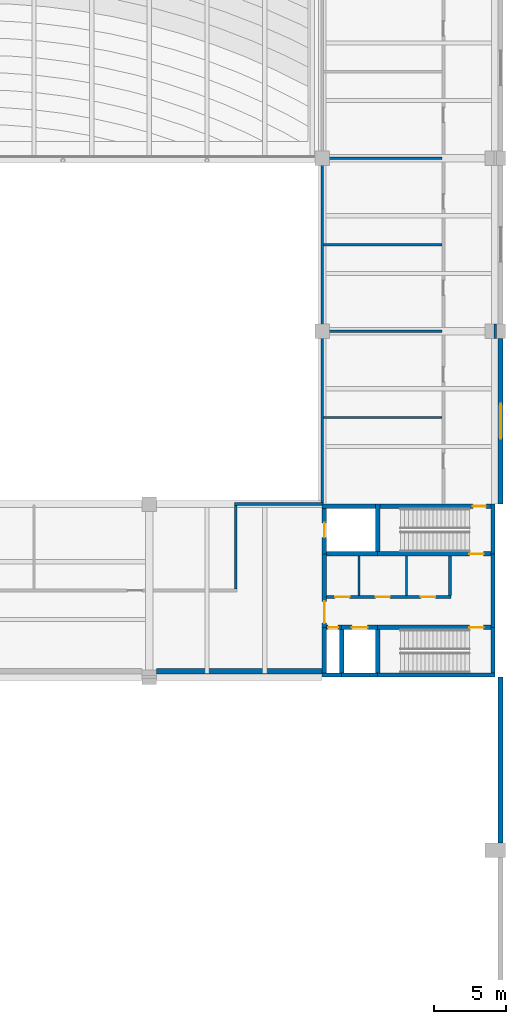
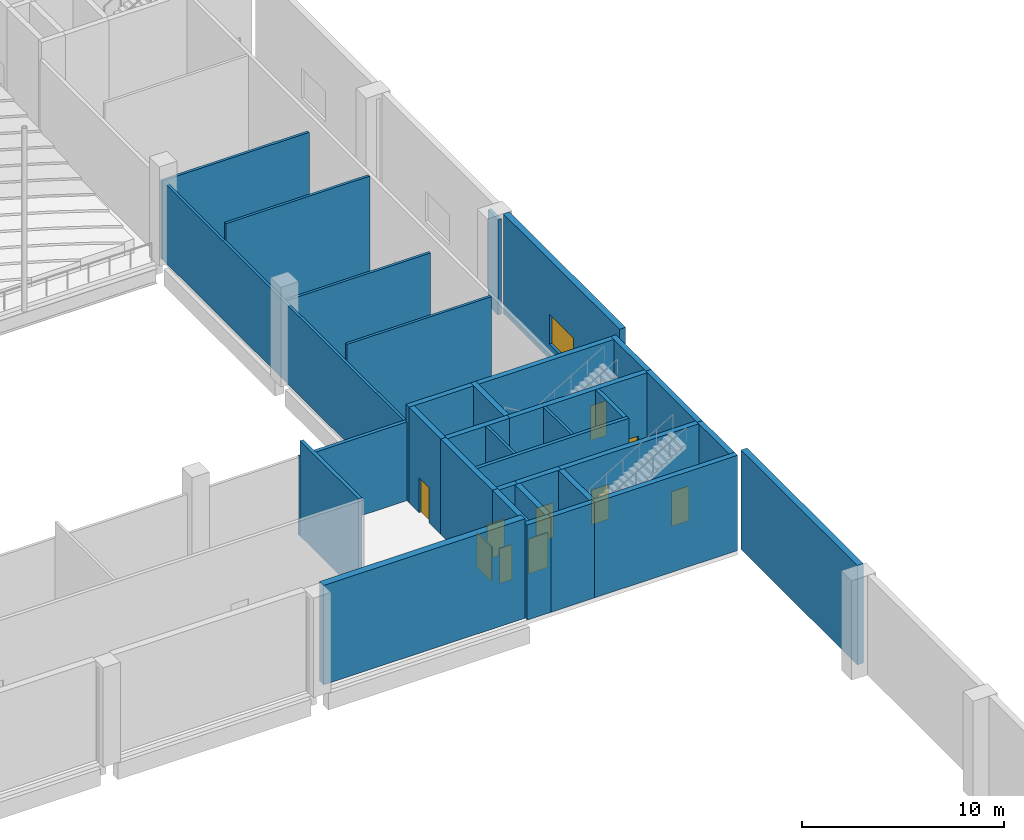
# One storey, part 57 of 72: 34 walls, 10 doors, 1 window, 11 openings.
"""IFC4 building model written with IfcOpenShell, lengths in metres."""

from ifc_helpers import new_model, si_unit, direction, frame, frame_2d, origin, place, context, subcontext, project, spatial, rectangle, extrude, material, layer, layer_set, type_object, element, fill, save


model = new_model("IFC4")

# Units and contexts
model_context = context("Model", 3, precision=1e-05, world=origin(), true_north=direction((0.0, 1.0)))
body_context = subcontext(model_context, "Body", "Model", "MODEL_VIEW")
ifc_project = project(units=[si_unit("LENGTHUNIT", "METRE"), si_unit("AREAUNIT", "SQUARE_METRE"), si_unit("VOLUMEUNIT", "CUBIC_METRE"), si_unit("PLANEANGLEUNIT", "RADIAN"), si_unit("MASSUNIT", "GRAM", prefix="KILO")], contexts=[model_context])

# Site, building, storey
site_placement = place(None, origin())
site = spatial("IfcSite", under=ifc_project, at=site_placement, CompositionType="ELEMENT")
building_placement = place(site_placement, origin())
building = spatial("IfcBuilding", under=site, at=building_placement, Name="Lilac Gate Convention Centre", CompositionType="ELEMENT")
storey_placement = place(building_placement, frame((0.0, 0.0, 6.0)))
storey = spatial("IfcBuildingStorey", under=building, at=storey_placement, Name="L01", CompositionType="ELEMENT", Elevation=6.0)

# Walls
ifc_material_1 = material(Name="Concrete C30", Category="concrete")
ifc_layer_1 = layer(ifc_material_1, 0.39990234375)
ifc_layer_set_1 = layer_set([ifc_layer_1], Name="Concrete C30")
wall_type_1 = type_object("IfcWallType", Name="Hall fire wall 400", PredefinedType="SOLIDWALL", material=ifc_layer_set_1)
wall_1_placement = place(storey_placement, frame((66.5, 102.39990234375, 0.0), z_axis=(0.0, 0.0, 1.0), x_axis=(1.0, 0.0, 0.0)))
element("IfcWall", 1, at=wall_1_placement, inside=storey, type_object=wall_type_1, Name="Fire wall exhibition hall HN L01 4", PredefinedType="SOLIDWALL", context=body_context, shape_type="SweptSolid", body=[
    extrude(rectangle(XDim=11.5, YDim=0.39990234375, at=frame_2d((5.75, 0.0))), origin(), (0.0, 0.0, 1.0), 6.0),
])
ifc_material_2 = material(Name="Fire-rated gypsum board on steel stud", Category="steel")
ifc_layer_2 = layer(ifc_material_2, 0.14990234375)
ifc_layer_set_2 = layer_set([ifc_layer_2], Name="Fire-rated gypsum board on steel stud")
wall_type_2 = type_object("IfcWallType", Name="Partition 150 fire-rated gypsum board EI 60", PredefinedType="PARTITIONING", material=ifc_layer_set_2)
wall_2_placement = place(storey_placement, frame((78.074951171875, 120.0, 0.0), z_axis=(0.0, 0.0, 1.0), x_axis=(1.0, 0.0, 0.0)))
element("IfcWall", 2, at=wall_2_placement, inside=storey, type_object=wall_type_2, Name="Partition 150 fire-rated gypsum board EI 60", PredefinedType="PARTITIONING", context=body_context, shape_type="SweptSolid", body=[
    extrude(rectangle(XDim=8.22509765625, YDim=0.14990234375, at=frame_2d((4.112548828125, 0.0))), origin(), (0.0, 0.0, 1.0), 5.75),
])
wall_3_placement = place(storey_placement, frame((78.074951171875, 126.0, 0.0), z_axis=(0.0, 0.0, 1.0), x_axis=(1.0, 0.0, 0.0)))
element("IfcWall", 3, at=wall_3_placement, inside=storey, type_object=wall_type_2, Name="Partition 150 fire-rated gypsum board EI 60", PredefinedType="PARTITIONING", context=body_context, shape_type="SweptSolid", body=[
    extrude(rectangle(XDim=8.22509765625, YDim=0.14990234375, at=frame_2d((4.112548828125, 0.0))), origin(), (0.0, 0.0, 1.0), 4.75),
])
wall_4_placement = place(storey_placement, frame((78.074951171875, 132.0, 0.0), z_axis=(0.0, 0.0, 1.0), x_axis=(1.0, 0.0, 0.0)))
element("IfcWall", 4, at=wall_4_placement, inside=storey, type_object=wall_type_2, Name="Partition 150 fire-rated gypsum board EI 60", PredefinedType="PARTITIONING", context=body_context, shape_type="SweptSolid", body=[
    extrude(rectangle(XDim=8.22509765625, YDim=0.14990234375, at=frame_2d((4.112548828125, 0.0))), origin(), (0.0, 0.0, 1.0), 5.75),
])
wall_5_placement = place(storey_placement, frame((77.89990234375, 138.0, 0.0), z_axis=(0.0, 0.0, 1.0), x_axis=(1.0, 0.0, 0.0)))
element("IfcWall", 5, at=wall_5_placement, inside=storey, type_object=wall_type_2, Name="Partition 150 fire-rated gypsum board EI 60", PredefinedType="PARTITIONING", context=body_context, shape_type="SweptSolid", body=[
    extrude(rectangle(XDim=8.400146484375, YDim=0.14990234375, at=frame_2d((4.2001953125, 0.0))), origin(), (0.0, 0.0, 1.0), 4.75),
])
wall_6_placement = place(storey_placement, frame((78.0, 114.10009765625, 0.0), z_axis=(0.0, 0.0, 1.0), x_axis=(0.0, 1.0, 0.0)))
element("IfcWall", 6, at=wall_6_placement, inside=storey, type_object=wall_type_2, Name="Partition 150 fire-rated gypsum board EI 60", PredefinedType="PARTITIONING", context=body_context, shape_type="SweptSolid", body=[
    extrude(rectangle(XDim=23.824951171875, YDim=0.14990234375, at=frame_2d((11.91259765625, 0.0))), origin(), (0.0, 0.0, 1.0), 4.75),
])
for number, where, z_axis, x_axis, name in (
    (7, (80.550048828125, 107.64990234375, 0.0), (0.0, 0.0, 1.0), (0.0, 1.0, 0.0), "Partition 150 fire-rated gypsum board EI 60"),
    (8, (83.85009765625, 107.64990234375, 0.0), (0.0, 0.0, 1.0), (0.0, 1.0, 0.0), "Partition 150 fire-rated gypsum board EI 60"),
):
    element("IfcWall", number, at=place(storey_placement, frame(where, z_axis=z_axis, x_axis=x_axis)), inside=storey, type_object=wall_type_2, Name=name, PredefinedType="PARTITIONING", context=body_context, shape_type="SweptSolid", body=[
        extrude(rectangle(XDim=2.75, YDim=0.14990234375, at=frame_2d((1.375, 0.0))), origin(), (0.0, 0.0, 1.0), 5.75),
    ])

# Wall, openings, doors
ifc_material_3 = material(Name="Clay brick masonry", Category="masonry")
ifc_layer_3 = layer(ifc_material_3, 0.199951171875)
ifc_layer_set_3 = layer_set([ifc_layer_3], Name="Clay brick masonry")
wall_type_3 = type_object("IfcWallType", Name="Partition 200 brick EI 60", PredefinedType="PARTITIONING", material=ifc_layer_set_3)
wall_7_placement = place(storey_placement, frame((78.300048828125, 107.550048828125, 0.0), z_axis=(0.0, 0.0, 1.0), x_axis=(1.0, 0.0, 0.0)))
wall_7 = element("IfcWall", 9, at=wall_7_placement, inside=storey, type_object=wall_type_3, Name="Partition 200 brick EI 60", PredefinedType="PARTITIONING", context=body_context, shape_type="SweptSolid", body=[
    extrude(rectangle(XDim=8.64990234375, YDim=0.199951171875, at=frame_2d((4.324951171875, 0.0))), origin(), (0.0, 0.0, 1.0), 5.75),
])
opening_1_placement = place(wall_7_placement, frame((0.60009765625, 0.0, 0.0)))
opening_1 = element("IfcOpeningElement", 10, at=opening_1_placement, cuts=wall_7, Name="Opening L01-031", PredefinedType="OPENING", context=body_context, shape_type="SweptSolid", body=[
    extrude(rectangle(XDim=1.0, YDim=2.10009765625, at=frame_2d((0.5, 1.050048828125))), frame((0.0, 0.10986328125, 0.0), z_axis=(0.0, -1.0, 0.0), x_axis=(1.0, 0.0, 0.0)), (0.0, 0.0, 1.0), 0.219970703125),
])
opening_2_placement = place(wall_7_placement, frame((3.39990234375, 0.0, 0.0)))
opening_2 = element("IfcOpeningElement", 11, at=opening_2_placement, cuts=wall_7, Name="Opening L01-032", PredefinedType="OPENING", context=body_context, shape_type="SweptSolid", body=[
    extrude(rectangle(XDim=1.0, YDim=2.10009765625, at=frame_2d((0.5, 1.050048828125))), frame((0.0, 0.10986328125, 0.0), z_axis=(0.0, -1.0, 0.0), x_axis=(1.0, 0.0, 0.0)), (0.0, 0.0, 1.0), 0.219970703125),
])
opening_3_placement = place(wall_7_placement, frame((6.550048828125, 0.0, 0.0)))
opening_3 = element("IfcOpeningElement", 12, at=opening_3_placement, cuts=wall_7, Name="Opening L01-033", PredefinedType="OPENING", context=body_context, shape_type="SweptSolid", body=[
    extrude(rectangle(XDim=1.0, YDim=2.10009765625, at=frame_2d((0.5, 1.050048828125))), frame((0.0, 0.10986328125, 0.0), z_axis=(0.0, -1.0, 0.0), x_axis=(1.0, 0.0, 0.0)), (0.0, 0.0, 1.0), 0.219970703125),
])
ifc_material_4 = material(Name="Timber fire door leaf", Category="wood")
door_type_1 = type_object("IfcDoorType", Name="Door 1000 x 2100 single leaf FD30", OperationType="SINGLE_SWING_LEFT", PredefinedType="DOOR", material=ifc_material_4)
door_1_placement = place(opening_1_placement, origin())
door_1 = element("IfcDoor", 13, at=door_1_placement, inside=storey, type_object=door_type_1, Name="Accessible WC door L01-031", OperationType="SINGLE_SWING_RIGHT", OverallHeight=2.10009765625, OverallWidth=1.0, PredefinedType="DOOR", context=body_context, shape_type="SweptSolid", body=[
    extrude(rectangle(XDim=1.0, YDim=2.10009765625, at=frame_2d((0.5, 1.050048828125))), frame((0.0, 0.02490234375, 0.0), z_axis=(0.0, -1.0, 0.0), x_axis=(1.0, 0.0, 0.0)), (0.0, 0.0, 1.0), 0.050048828125),
])
fill(opening_1, door_1)
door_2_placement = place(opening_2_placement, origin())
door_2 = element("IfcDoor", 14, at=door_2_placement, inside=storey, type_object=door_type_1, Name="WC door L01-032", OperationType="SINGLE_SWING_LEFT", OverallHeight=2.10009765625, OverallWidth=1.0, PredefinedType="DOOR", context=body_context, shape_type="SweptSolid", body=[
    extrude(rectangle(XDim=1.0, YDim=2.10009765625, at=frame_2d((0.5, 1.050048828125))), frame((0.0, 0.02490234375, 0.0), z_axis=(0.0, -1.0, 0.0), x_axis=(1.0, 0.0, 0.0)), (0.0, 0.0, 1.0), 0.050048828125),
])
fill(opening_2, door_2)
door_3_placement = place(opening_3_placement, origin())
door_3 = element("IfcDoor", 15, at=door_3_placement, inside=storey, type_object=door_type_1, Name="WC door L01-033", OperationType="SINGLE_SWING_RIGHT", OverallHeight=2.10009765625, OverallWidth=1.0, PredefinedType="DOOR", context=body_context, shape_type="SweptSolid", body=[
    extrude(rectangle(XDim=1.0, YDim=2.10009765625, at=frame_2d((0.5, 1.050048828125))), frame((0.0, 0.02490234375, 0.0), z_axis=(0.0, -1.0, 0.0), x_axis=(1.0, 0.0, 0.0)), (0.0, 0.0, 1.0), 0.050048828125),
])
fill(opening_3, door_3)

# Walls
wall_8_placement = place(storey_placement, frame((71.89990234375, 114.0, 0.0), z_axis=(0.0, 0.0, 1.0), x_axis=(1.0, 0.0, 0.0)))
element("IfcWall", 16, at=wall_8_placement, inside=storey, type_object=wall_type_3, Name="Partition 200 brick EI 60", PredefinedType="PARTITIONING", context=body_context, shape_type="SweptSolid", body=[
    extrude(rectangle(XDim=6.175048828125, YDim=0.199951171875, at=frame_2d((3.08740234375, 0.0))), origin(), (0.0, 0.0, 1.0), 4.75),
])
wall_9_placement = place(storey_placement, frame((72.0, 108.10009765625, 0.0), z_axis=(0.0, 0.0, 1.0), x_axis=(0.0, 1.0, 0.0)))
element("IfcWall", 17, at=wall_9_placement, inside=storey, type_object=wall_type_3, Name="Partition 200 brick EI 60", PredefinedType="PARTITIONING", context=body_context, shape_type="SweptSolid", body=[
    extrude(rectangle(XDim=5.7998046875, YDim=0.199951171875, at=frame_2d((2.89990234375, 0.0))), origin(), (0.0, 0.0, 1.0), 5.75),
])
wall_10_placement = place(storey_placement, frame((86.85009765625, 107.64990234375, 0.0), z_axis=(0.0, 0.0, 1.0), x_axis=(0.0, 1.0, 0.0)))
element("IfcWall", 18, at=wall_10_placement, inside=storey, type_object=wall_type_3, Name="Partition 200 brick EI 60", PredefinedType="PARTITIONING", context=body_context, shape_type="SweptSolid", body=[
    extrude(rectangle(XDim=2.75, YDim=0.199951171875, at=frame_2d((1.375, 0.0))), origin(), (0.0, 0.0, 1.0), 5.75),
])
wall_11_placement = place(storey_placement, frame((90.0, 125.5, 0.0), z_axis=(0.0, 0.0, 1.0), x_axis=(0.0, 1.0, 0.0)))
element("IfcWall", 19, at=wall_11_placement, inside=storey, type_object=wall_type_3, Name="Partition 200 brick EI 60", PredefinedType="PARTITIONING", context=body_context, shape_type="SweptSolid", body=[
    extrude(rectangle(XDim=1.0, YDim=0.199951171875, at=frame_2d((0.5, 0.0))), origin(), (0.0, 0.0, 1.0), 5.75),
])
ifc_material_5 = material(Name="Ochre mineral render")
ifc_layer_4 = layer(ifc_material_5, 0.02001953125)
ifc_material_6 = material(Name="Concrete C40 precast", Category="concrete")
ifc_layer_5 = layer(ifc_material_6, 0.06005859375)
ifc_material_7 = material(Name="Ventilated air cavity")
ifc_layer_6 = layer(ifc_material_7, 0.030029296875)
ifc_material_8 = material(Name="Mineral wool insulation")
ifc_layer_7 = layer(ifc_material_8, 0.169921875)
ifc_material_9 = material(Name="Steel stud Q345 and gypsum lining", Category="steel")
ifc_layer_8 = layer(ifc_material_9, 0.070068359375)
ifc_layer_set_4 = layer_set([ifc_layer_4, ifc_layer_5, ifc_layer_6, ifc_layer_7, ifc_layer_8], Name="Ochre mineral render, Concrete C40 precast, Ventilated air cavity, Mineral wool insulation, Steel stud Q345 and gypsum lining")
wall_type_4 = type_object("IfcWallType", Name="Podium precast wall 350", PredefinedType="STANDARD", material=ifc_layer_set_4)
wall_12_placement = place(storey_placement, frame((90.375, 90.5, 0.0), z_axis=(0.0, 0.0, 1.0), x_axis=(0.0, 1.0, 0.0)))
element("IfcWall", 20, at=wall_12_placement, inside=storey, type_object=wall_type_4, Name="External wall hall east HE L01 6", PredefinedType="STANDARD", context=body_context, shape_type="SweptSolid", body=[
    extrude(rectangle(XDim=11.5, YDim=0.35009765625, at=frame_2d((5.75, 0.0))), origin(), (0.0, 0.0, 1.0), 6.0),
])

# Wall, opening, window
wall_13_placement = place(storey_placement, frame((90.375, 114.0, 0.0), z_axis=(0.0, 0.0, 1.0), x_axis=(0.0, 1.0, 0.0)))
wall_13 = element("IfcWall", 21, at=wall_13_placement, inside=storey, type_object=wall_type_4, Name="External wall hall east HE L01 7", PredefinedType="STANDARD", context=body_context, shape_type="SweptSolid", body=[
    extrude(rectangle(XDim=11.5, YDim=0.35009765625, at=frame_2d((5.75, 0.0))), origin(), (0.0, 0.0, 1.0), 6.0),
])
opening_4_placement = place(wall_13_placement, frame((4.550048828125, 0.0, 0.89990234375)))
opening_4 = element("IfcOpeningElement", 22, at=opening_4_placement, cuts=wall_13, Name="Opening W5", PredefinedType="OPENING", context=body_context, shape_type="SweptSolid", body=[
    extrude(rectangle(XDim=2.39990234375, YDim=1.800048828125, at=frame_2d((1.199951171875, 0.89990234375))), frame((0.0, 0.18505859375, 0.0), z_axis=(0.0, -1.0, 0.0), x_axis=(1.0, 0.0, 0.0)), (0.0, 0.0, 1.0), 0.3701171875),
])
ifc_material_10 = material(Name="Aluminium framed double glazing", Category="aluminium")
window_type = type_object("IfcWindowType", Name="Meeting room window 2400 x 1800", PartitioningType="TRIPLE_PANEL_VERTICAL", PredefinedType="WINDOW", material=ifc_material_10)
window_placement = place(opening_4_placement, origin())
window = element("IfcWindow", 23, at=window_placement, inside=storey, type_object=window_type, Name="Window L01 east 119", OverallHeight=1.800048828125, OverallWidth=2.39990234375, PartitioningType="SINGLE_PANEL", PredefinedType="WINDOW", context=body_context, shape_type="SweptSolid", body=[
    extrude(rectangle(XDim=2.39990234375, YDim=1.800048828125, at=frame_2d((1.199951171875, 0.89990234375))), frame((0.0, 0.030029296875, 0.0), z_axis=(0.0, -1.0, 0.0), x_axis=(1.0, 0.0, 0.0)), (0.0, 0.0, 1.0), 0.06005859375),
])
fill(opening_4, window)

# Walls
ifc_material_11 = material(Name="Concrete C40", Category="concrete")
ifc_layer_9 = layer(ifc_material_11, 0.300048828125)
ifc_layer_set_5 = layer_set([ifc_layer_9], Name="Concrete C40")
wall_type_5 = type_object("IfcWallType", Name="Shear wall 300 C40", PredefinedType="SHEAR", material=ifc_layer_set_5)
wall_14_placement = place(storey_placement, frame((90.0, 102.14990234375, 0.0), z_axis=(0.0, 0.0, 1.0), x_axis=(-1.0, 0.0, 0.0)))
element("IfcWall", 24, at=wall_14_placement, inside=storey, type_object=wall_type_5, Name="SW1 shear wall E1 L01 1", PredefinedType="SHEAR", context=body_context, shape_type="SweptSolid", body=[
    extrude(rectangle(XDim=8.14990234375, YDim=0.300048828125, at=frame_2d((4.074951171875, 0.0))), origin(), (0.0, 0.0, 1.0), 5.75),
])
wall_15_placement = place(storey_placement, frame((81.85009765625, 102.14990234375, 0.0), z_axis=(0.0, 0.0, 1.0), x_axis=(-1.0, 0.0, 0.0)))
element("IfcWall", 25, at=wall_15_placement, inside=storey, type_object=wall_type_5, Name="SW1 shear wall E1 L01 2", PredefinedType="SHEAR", context=body_context, shape_type="SweptSolid", body=[
    extrude(rectangle(XDim=2.5, YDim=0.300048828125, at=frame_2d((1.25, 0.0))), origin(), (0.0, 0.0, 1.0), 5.75),
])
wall_16_placement = place(storey_placement, frame((79.35009765625, 102.14990234375, 0.0), z_axis=(0.0, 0.0, 1.0), x_axis=(-1.0, 0.0, 0.0)))
element("IfcWall", 26, at=wall_16_placement, inside=storey, type_object=wall_type_5, Name="SW1 shear wall E1 L01 3", PredefinedType="SHEAR", context=body_context, shape_type="SweptSolid", body=[
    extrude(rectangle(XDim=1.35009765625, YDim=0.300048828125, at=frame_2d((0.675048828125, 0.0))), origin(), (0.0, 0.0, 1.0), 5.75),
])

# Wall, opening, door
wall_17_placement = place(storey_placement, frame((90.0, 113.85009765625, 0.0), z_axis=(0.0, 0.0, 1.0), x_axis=(-1.0, 0.0, 0.0)))
wall_17 = element("IfcWall", 27, at=wall_17_placement, inside=storey, type_object=wall_type_5, Name="SW1 shear wall E1 L01 4", PredefinedType="SHEAR", context=body_context, shape_type="SweptSolid", body=[
    extrude(rectangle(XDim=8.14990234375, YDim=0.300048828125, at=frame_2d((4.074951171875, 0.0))), origin(), (0.0, 0.0, 1.0), 5.75),
])
opening_5_placement = place(wall_17_placement, frame((0.64990234375, 0.0, 0.0)))
opening_5 = element("IfcOpeningElement", 28, at=opening_5_placement, cuts=wall_17, Name="Opening L01-040", PredefinedType="OPENING", context=body_context, shape_type="SweptSolid", body=[
    extrude(rectangle(XDim=0.89990234375, YDim=2.10009765625, at=frame_2d((0.449951171875, 1.050048828125))), frame((0.0, 0.159912109375, 0.0), z_axis=(0.0, -1.0, 0.0), x_axis=(1.0, 0.0, 0.0)), (0.0, 0.0, 1.0), 0.320068359375),
])
door_type_2 = type_object("IfcDoorType", Name="Door 900 x 2100 single leaf FD60", OperationType="SINGLE_SWING_LEFT", PredefinedType="DOOR", material=ifc_material_4)
door_4_placement = place(opening_5_placement, origin())
door_4 = element("IfcDoor", 29, at=door_4_placement, inside=storey, type_object=door_type_2, Name="Stair door L01-040", OperationType="SINGLE_SWING_RIGHT", OverallHeight=2.10009765625, OverallWidth=0.89990234375, PredefinedType="DOOR", context=body_context, shape_type="SweptSolid", body=[
    extrude(rectangle(XDim=0.89990234375, YDim=2.10009765625, at=frame_2d((0.449951171875, 1.050048828125))), frame((0.0, 0.02490234375, 0.0), z_axis=(0.0, -1.0, 0.0), x_axis=(1.0, 0.0, 0.0)), (0.0, 0.0, 1.0), 0.050048828125),
])
fill(opening_5, door_4)

# Wall
wall_18_placement = place(storey_placement, frame((81.85009765625, 113.85009765625, 0.0), z_axis=(0.0, 0.0, 1.0), x_axis=(-1.0, 0.0, 0.0)))
element("IfcWall", 30, at=wall_18_placement, inside=storey, type_object=wall_type_5, Name="SW1 shear wall E1 L01 5", PredefinedType="SHEAR", context=body_context, shape_type="SweptSolid", body=[
    extrude(rectangle(XDim=3.85009765625, YDim=0.300048828125, at=frame_2d((1.925048828125, 0.0))), origin(), (0.0, 0.0, 1.0), 5.75),
])

# Wall, opening, door
wall_19_placement = place(storey_placement, frame((89.699951171875, 105.449951171875, 0.0), z_axis=(0.0, 0.0, 1.0), x_axis=(-1.0, 0.0, 0.0)))
wall_19 = element("IfcWall", 31, at=wall_19_placement, inside=storey, type_object=wall_type_5, Name="SW1 shear wall E1 L01 6", PredefinedType="SHEAR", context=body_context, shape_type="SweptSolid", body=[
    extrude(rectangle(XDim=7.849853515625, YDim=0.300048828125, at=frame_2d((3.9248046875, 0.0))), origin(), (0.0, 0.0, 1.0), 5.75),
])
opening_6_placement = place(wall_19_placement, frame((0.5, 0.0, 0.0)))
opening_6 = element("IfcOpeningElement", 32, at=opening_6_placement, cuts=wall_19, Name="Opening L01-029", PredefinedType="OPENING", context=body_context, shape_type="SweptSolid", body=[
    extrude(rectangle(XDim=1.0, YDim=2.10009765625, at=frame_2d((0.5, 1.050048828125))), frame((0.0, 0.159912109375, 0.0), z_axis=(0.0, -1.0, 0.0), x_axis=(1.0, 0.0, 0.0)), (0.0, 0.0, 1.0), 0.320068359375),
])
door_type_3 = type_object("IfcDoorType", Name="Door 1000 x 2100 single leaf FD60", OperationType="SINGLE_SWING_LEFT", PredefinedType="DOOR", material=ifc_material_4)
door_5_placement = place(opening_6_placement, origin())
door_5 = element("IfcDoor", 33, at=door_5_placement, inside=storey, type_object=door_type_3, Name="Stair door L01-029", OperationType="SINGLE_SWING_RIGHT", OverallHeight=2.10009765625, OverallWidth=1.0, PredefinedType="DOOR", context=body_context, shape_type="SweptSolid", body=[
    extrude(rectangle(XDim=1.0, YDim=2.10009765625, at=frame_2d((0.5, 1.050048828125))), frame((0.0, 0.02490234375, 0.0), z_axis=(0.0, -1.0, 0.0), x_axis=(1.0, 0.0, 0.0)), (0.0, 0.0, 1.0), 0.050048828125),
])
fill(opening_6, door_5)

wall_20_placement = place(storey_placement, frame((81.85009765625, 105.449951171875, 0.0), z_axis=(0.0, 0.0, 1.0), x_axis=(-1.0, 0.0, 0.0)))
wall_20 = element("IfcWall", 34, at=wall_20_placement, inside=storey, type_object=wall_type_5, Name="SW1 shear wall E1 L01 7", PredefinedType="SHEAR", context=body_context, shape_type="SweptSolid", body=[
    extrude(rectangle(XDim=2.5, YDim=0.300048828125, at=frame_2d((1.25, 0.0))), origin(), (0.0, 0.0, 1.0), 5.75),
])
opening_7_placement = place(wall_20_placement, frame((0.699951171875, 0.0, 0.0)))
opening_7 = element("IfcOpeningElement", 35, at=opening_7_placement, cuts=wall_20, Name="Opening LDE1-01", PredefinedType="OPENING", context=body_context, shape_type="SweptSolid", body=[
    extrude(rectangle(XDim=1.10009765625, YDim=2.10009765625, at=frame_2d((0.550048828125, 1.050048828125))), frame((0.0, 0.159912109375, 0.0), z_axis=(0.0, -1.0, 0.0), x_axis=(1.0, 0.0, 0.0)), (0.0, 0.0, 1.0), 0.320068359375),
])
ifc_material_12 = material(Name="Stainless steel 304", Category="steel")
door_type_4 = type_object("IfcDoorType", Name="Lift landing door 1100 x 2100", OperationType="SLIDING_TO_LEFT", PredefinedType="DOOR", material=ifc_material_12)
door_6_placement = place(opening_7_placement, origin())
door_6 = element("IfcDoor", 36, at=door_6_placement, inside=storey, type_object=door_type_4, Name="Lift landing door LDE1-01", OperationType="SLIDING_TO_LEFT", OverallHeight=2.10009765625, OverallWidth=1.10009765625, PredefinedType="DOOR", context=body_context, shape_type="SweptSolid", body=[
    extrude(rectangle(XDim=1.10009765625, YDim=2.10009765625, at=frame_2d((0.550048828125, 1.050048828125))), frame((0.0, 0.02490234375, 0.0), z_axis=(0.0, -1.0, 0.0), x_axis=(1.0, 0.0, 0.0)), (0.0, 0.0, 1.0), 0.050048828125),
])
fill(opening_7, door_6)

wall_21_placement = place(storey_placement, frame((79.35009765625, 105.449951171875, 0.0), z_axis=(0.0, 0.0, 1.0), x_axis=(-1.0, 0.0, 0.0)))
wall_21 = element("IfcWall", 37, at=wall_21_placement, inside=storey, type_object=wall_type_5, Name="SW1 shear wall E1 L01 8", PredefinedType="SHEAR", context=body_context, shape_type="SweptSolid", body=[
    extrude(rectangle(XDim=1.050048828125, YDim=0.300048828125, at=frame_2d((0.52490234375, 0.0))), origin(), (0.0, 0.0, 1.0), 5.75),
])
opening_8_placement = place(wall_21_placement, frame((0.25, 0.0, 0.0)))
opening_8 = element("IfcOpeningElement", 38, at=opening_8_placement, cuts=wall_21, Name="Opening L01-028", PredefinedType="OPENING", context=body_context, shape_type="SweptSolid", body=[
    extrude(rectangle(XDim=0.699951171875, YDim=2.10009765625, at=frame_2d((0.35009765625, 1.050048828125))), frame((0.0, 0.159912109375, 0.0), z_axis=(0.0, -1.0, 0.0), x_axis=(1.0, 0.0, 0.0)), (0.0, 0.0, 1.0), 0.320068359375),
])
door_type_5 = type_object("IfcDoorType", Name="Door 700 x 2100 single leaf FD30", OperationType="SINGLE_SWING_LEFT", PredefinedType="DOOR", material=ifc_material_4)
door_7_placement = place(opening_8_placement, origin())
door_7 = element("IfcDoor", 39, at=door_7_placement, inside=storey, type_object=door_type_5, Name="Riser access door L01-028", OperationType="SINGLE_SWING_LEFT", OverallHeight=2.10009765625, OverallWidth=0.699951171875, PredefinedType="DOOR", context=body_context, shape_type="SweptSolid", body=[
    extrude(rectangle(XDim=0.699951171875, YDim=2.10009765625, at=frame_2d((0.35009765625, 1.050048828125))), frame((0.0, 0.02490234375, 0.0), z_axis=(0.0, -1.0, 0.0), x_axis=(1.0, 0.0, 0.0)), (0.0, 0.0, 1.0), 0.050048828125),
])
fill(opening_8, door_7)

wall_22_placement = place(storey_placement, frame((89.699951171875, 110.550048828125, 0.0), z_axis=(0.0, 0.0, 1.0), x_axis=(-1.0, 0.0, 0.0)))
wall_22 = element("IfcWall", 40, at=wall_22_placement, inside=storey, type_object=wall_type_5, Name="SW1 shear wall E1 L01 9", PredefinedType="SHEAR", context=body_context, shape_type="SweptSolid", body=[
    extrude(rectangle(XDim=7.849853515625, YDim=0.300048828125, at=frame_2d((3.9248046875, 0.0))), origin(), (0.0, 0.0, 1.0), 5.75),
])
opening_9_placement = place(wall_22_placement, frame((0.5, 0.0, 0.0)))
opening_9 = element("IfcOpeningElement", 41, at=opening_9_placement, cuts=wall_22, Name="Opening L01-037", PredefinedType="OPENING", context=body_context, shape_type="SweptSolid", body=[
    extrude(rectangle(XDim=1.0, YDim=2.10009765625, at=frame_2d((0.5, 1.050048828125))), frame((0.0, 0.159912109375, 0.0), z_axis=(0.0, -1.0, 0.0), x_axis=(1.0, 0.0, 0.0)), (0.0, 0.0, 1.0), 0.320068359375),
])
door_8_placement = place(opening_9_placement, frame((1.0, 0.0, 0.0), z_axis=(0.0, 0.0, 1.0), x_axis=(-1.0, 0.0, 0.0)))
door_8 = element("IfcDoor", 42, at=door_8_placement, inside=storey, type_object=door_type_3, Name="Stair door L01-037", OperationType="SINGLE_SWING_LEFT", OverallHeight=2.10009765625, OverallWidth=1.0, PredefinedType="DOOR", context=body_context, shape_type="SweptSolid", body=[
    extrude(rectangle(XDim=1.0, YDim=2.10009765625, at=frame_2d((0.5, 1.050048828125))), frame((0.0, 0.02490234375, 0.0), z_axis=(0.0, -1.0, 0.0), x_axis=(1.0, 0.0, 0.0)), (0.0, 0.0, 1.0), 0.050048828125),
])
fill(opening_9, door_8)

# Walls
wall_23_placement = place(storey_placement, frame((81.85009765625, 110.550048828125, 0.0), z_axis=(0.0, 0.0, 1.0), x_axis=(-1.0, 0.0, 0.0)))
element("IfcWall", 43, at=wall_23_placement, inside=storey, type_object=wall_type_5, Name="SW1 shear wall E1 L01 10", PredefinedType="SHEAR", context=body_context, shape_type="SweptSolid", body=[
    extrude(rectangle(XDim=3.550048828125, YDim=0.300048828125, at=frame_2d((1.77490234375, 0.0))), origin(), (0.0, 0.0, 1.0), 5.75),
])
wall_24_placement = place(storey_placement, frame((89.85009765625, 102.300048828125, 0.0), z_axis=(0.0, 0.0, 1.0), x_axis=(0.0, 1.0, 0.0)))
element("IfcWall", 44, at=wall_24_placement, inside=storey, type_object=wall_type_5, Name="SW1 shear wall E1 L01 11", PredefinedType="SHEAR", context=body_context, shape_type="SweptSolid", body=[
    extrude(rectangle(XDim=3.14990234375, YDim=0.300048828125, at=frame_2d((1.574951171875, 0.0))), origin(), (0.0, 0.0, 1.0), 5.75),
])
wall_25_placement = place(storey_placement, frame((89.85009765625, 105.449951171875, 0.0), z_axis=(0.0, 0.0, 1.0), x_axis=(0.0, 1.0, 0.0)))
element("IfcWall", 45, at=wall_25_placement, inside=storey, type_object=wall_type_5, Name="SW1 shear wall E1 L01 12", PredefinedType="SHEAR", context=body_context, shape_type="SweptSolid", body=[
    extrude(rectangle(XDim=5.10009765625, YDim=0.300048828125, at=frame_2d((2.550048828125, 0.0))), origin(), (0.0, 0.0, 1.0), 5.75),
])
wall_26_placement = place(storey_placement, frame((89.85009765625, 110.550048828125, 0.0), z_axis=(0.0, 0.0, 1.0), x_axis=(0.0, 1.0, 0.0)))
element("IfcWall", 46, at=wall_26_placement, inside=storey, type_object=wall_type_5, Name="SW1 shear wall E1 L01 13", PredefinedType="SHEAR", context=body_context, shape_type="SweptSolid", body=[
    extrude(rectangle(XDim=3.449951171875, YDim=0.300048828125, at=frame_2d((1.72509765625, 0.0))), origin(), (0.0, 0.0, 1.0), 5.75),
])
wall_27_placement = place(storey_placement, frame((78.14990234375, 102.300048828125, 0.0), z_axis=(0.0, 0.0, 1.0), x_axis=(0.0, 1.0, 0.0)))
element("IfcWall", 47, at=wall_27_placement, inside=storey, type_object=wall_type_5, Name="SW1 shear wall E1 L01 14", PredefinedType="SHEAR", context=body_context, shape_type="SweptSolid", body=[
    extrude(rectangle(XDim=3.14990234375, YDim=0.300048828125, at=frame_2d((1.574951171875, 0.0))), origin(), (0.0, 0.0, 1.0), 5.75),
])

# Wall, opening, door
wall_28_placement = place(storey_placement, frame((78.14990234375, 105.449951171875, 0.0), z_axis=(0.0, 0.0, 1.0), x_axis=(0.0, 1.0, 0.0)))
wall_28 = element("IfcWall", 48, at=wall_28_placement, inside=storey, type_object=wall_type_5, Name="SW1 shear wall E1 L01 15", PredefinedType="SHEAR", context=body_context, shape_type="SweptSolid", body=[
    extrude(rectangle(XDim=5.10009765625, YDim=0.300048828125, at=frame_2d((2.550048828125, 0.0))), origin(), (0.0, 0.0, 1.0), 5.75),
])
opening_10_placement = place(wall_28_placement, frame((0.300048828125, 0.0, 0.0)))
opening_10 = element("IfcOpeningElement", 49, at=opening_10_placement, cuts=wall_28, Name="Opening L01-030", PredefinedType="OPENING", context=body_context, shape_type="SweptSolid", body=[
    extrude(rectangle(XDim=1.5, YDim=2.10009765625, at=frame_2d((0.75, 1.050048828125))), frame((0.0, 0.159912109375, 0.0), z_axis=(0.0, -1.0, 0.0), x_axis=(1.0, 0.0, 0.0)), (0.0, 0.0, 1.0), 0.320068359375),
])
door_type_6 = type_object("IfcDoorType", Name="Door 1500 x 2100 double leaf FD30", OperationType="DOUBLE_DOOR_SINGLE_SWING", PredefinedType="DOOR", material=ifc_material_4)
door_9_placement = place(opening_10_placement, frame((1.5, 0.0, 0.0), z_axis=(0.0, 0.0, 1.0), x_axis=(-1.0, 0.0, 0.0)))
door_9 = element("IfcDoor", 50, at=door_9_placement, inside=storey, type_object=door_type_6, Name="Lobby door L01-030", OperationType="DOUBLE_DOOR_SINGLE_SWING", OverallHeight=2.10009765625, OverallWidth=1.5, PredefinedType="DOOR", context=body_context, shape_type="SweptSolid", body=[
    extrude(rectangle(XDim=1.5, YDim=2.10009765625, at=frame_2d((0.75, 1.050048828125))), frame((0.0, 0.02490234375, 0.0), z_axis=(0.0, -1.0, 0.0), x_axis=(1.0, 0.0, 0.0)), (0.0, 0.0, 1.0), 0.050048828125),
])
fill(opening_10, door_9)

wall_29_placement = place(storey_placement, frame((78.14990234375, 110.550048828125, 0.0), z_axis=(0.0, 0.0, 1.0), x_axis=(0.0, 1.0, 0.0)))
wall_29 = element("IfcWall", 51, at=wall_29_placement, inside=storey, type_object=wall_type_5, Name="SW1 shear wall E1 L01 16", PredefinedType="SHEAR", context=body_context, shape_type="SweptSolid", body=[
    extrude(rectangle(XDim=3.14990234375, YDim=0.300048828125, at=frame_2d((1.574951171875, 0.0))), origin(), (0.0, 0.0, 1.0), 5.75),
])
opening_11_placement = place(wall_29_placement, frame((1.14990234375, 0.0, 0.0)))
opening_11 = element("IfcOpeningElement", 52, at=opening_11_placement, cuts=wall_29, Name="Opening L01-039", PredefinedType="OPENING", context=body_context, shape_type="SweptSolid", body=[
    extrude(rectangle(XDim=1.0, YDim=2.10009765625, at=frame_2d((0.5, 1.050048828125))), frame((0.0, 0.159912109375, 0.0), z_axis=(0.0, -1.0, 0.0), x_axis=(1.0, 0.0, 0.0)), (0.0, 0.0, 1.0), 0.320068359375),
])
door_10_placement = place(opening_11_placement, frame((1.0, 0.0, 0.0), z_axis=(0.0, 0.0, 1.0), x_axis=(-1.0, 0.0, 0.0)))
door_10 = element("IfcDoor", 53, at=door_10_placement, inside=storey, type_object=door_type_1, Name="Riser access door L01-039", OperationType="SINGLE_SWING_LEFT", OverallHeight=2.10009765625, OverallWidth=1.0, PredefinedType="DOOR", context=body_context, shape_type="SweptSolid", body=[
    extrude(rectangle(XDim=1.0, YDim=2.10009765625, at=frame_2d((0.5, 1.050048828125))), frame((0.0, 0.02490234375, 0.0), z_axis=(0.0, -1.0, 0.0), x_axis=(1.0, 0.0, 0.0)), (0.0, 0.0, 1.0), 0.050048828125),
])
fill(opening_11, door_10)

# Walls
wall_30_placement = place(storey_placement, frame((81.85009765625, 102.300048828125, 0.0), z_axis=(0.0, 0.0, 1.0), x_axis=(0.0, 1.0, 0.0)))
element("IfcWall", 54, at=wall_30_placement, inside=storey, type_object=wall_type_5, Name="SW1 shear wall E1 L01 17", PredefinedType="SHEAR", context=body_context, shape_type="SweptSolid", body=[
    extrude(rectangle(XDim=3.0, YDim=0.300048828125, at=frame_2d((1.5, 0.0))), origin(), (0.0, 0.0, 1.0), 5.75),
])
wall_31_placement = place(storey_placement, frame((81.85009765625, 110.699951171875, 0.0), z_axis=(0.0, 0.0, 1.0), x_axis=(0.0, 1.0, 0.0)))
element("IfcWall", 55, at=wall_31_placement, inside=storey, type_object=wall_type_5, Name="SW1 shear wall E1 L01 18", PredefinedType="SHEAR", context=body_context, shape_type="SweptSolid", body=[
    extrude(rectangle(XDim=3.300048828125, YDim=0.300048828125, at=frame_2d((1.64990234375, 0.0))), origin(), (0.0, 0.0, 1.0), 5.75),
])
wall_32_placement = place(storey_placement, frame((79.35009765625, 102.300048828125, 0.0), z_axis=(0.0, 0.0, 1.0), x_axis=(0.0, 1.0, 0.0)))
element("IfcWall", 56, at=wall_32_placement, inside=storey, type_object=wall_type_5, Name="SW1 shear wall E1 L01 19", PredefinedType="SHEAR", context=body_context, shape_type="SweptSolid", body=[
    extrude(rectangle(XDim=3.0, YDim=0.300048828125, at=frame_2d((1.5, 0.0))), origin(), (0.0, 0.0, 1.0), 5.75),
])

save(model, "model.ifc")
